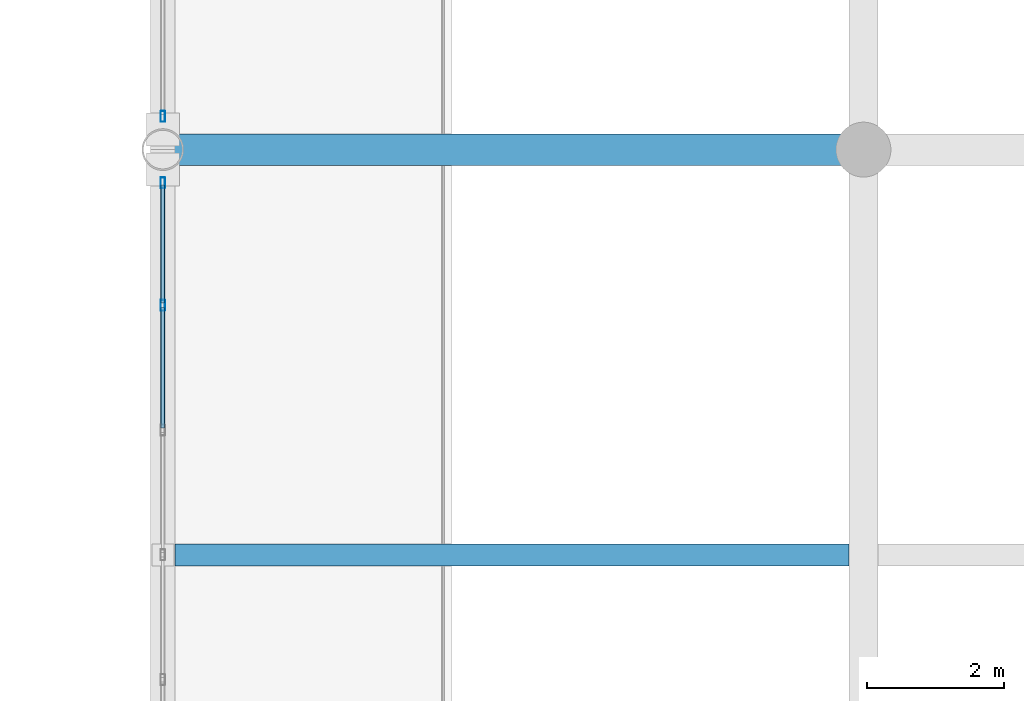
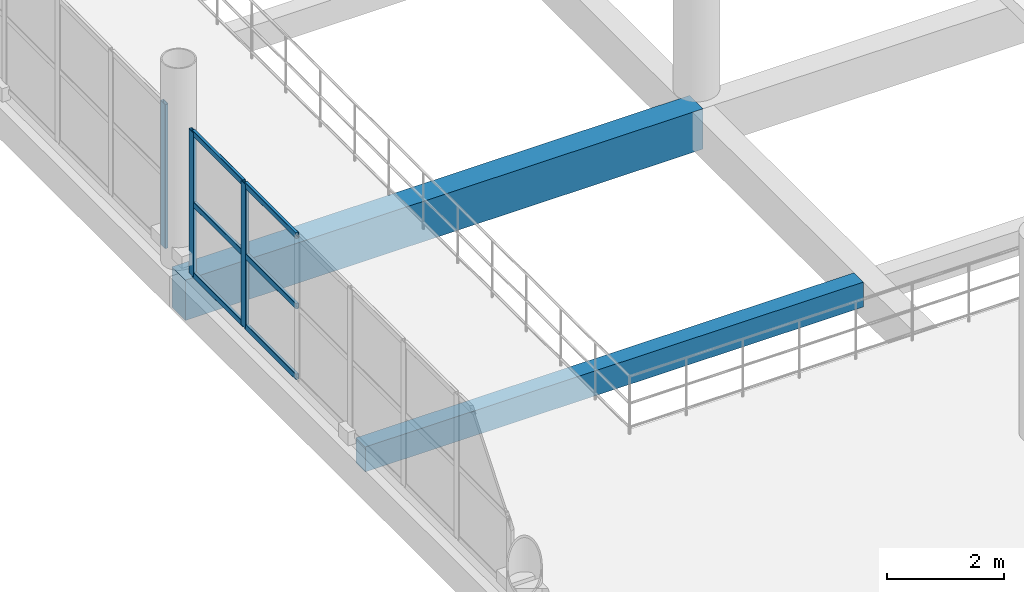
# One storey, part 58 of 157: 9 members, 2 beams, 2 elements without a shape of their own.
"""IFC4 building model written with IfcOpenShell, lengths in metres."""

from ifc_helpers import new_model, si_unit, direction, frame, origin, origin_2d, place, context, subcontext, project, spatial, rectangle, hollow_rectangle, extrude, material, material_profile, profile_set, type_object, element, aggregate, save


model = new_model("IFC4")

# Units and contexts
model_context = context("Model", 3, precision=1e-05, world=origin(), true_north=direction((0.0, 1.0)))
body_context = subcontext(model_context, "Body", "Model", "MODEL_VIEW")
ifc_project = project(units=[si_unit("LENGTHUNIT", "METRE"), si_unit("AREAUNIT", "SQUARE_METRE"), si_unit("VOLUMEUNIT", "CUBIC_METRE"), si_unit("PLANEANGLEUNIT", "RADIAN"), si_unit("MASSUNIT", "GRAM", prefix="KILO")], contexts=[model_context])

# Site, building, storey
site_placement = place(None, origin())
site = spatial("IfcSite", under=ifc_project, at=site_placement, CompositionType="ELEMENT")
building_placement = place(site_placement, origin())
building = spatial("IfcBuilding", under=site, at=building_placement, Name="Brelvane Convention Centre", CompositionType="ELEMENT")
storey_placement = place(building_placement, frame((0.0, 0.0, 10.800048828125)))
storey = spatial("IfcBuildingStorey", under=building, at=storey_placement, Name="L02", CompositionType="ELEMENT", Elevation=10.800048828125)

# Curtain wall, members
ifc_material_1 = material(Name="Anodised Aluminium Alloy 6063-T6", Category="aluminium")
curtain_wall_type = type_object("IfcCurtainWallType", Name="Curtain Wall CW-CONC", PredefinedType="USERDEFINED", material=ifc_material_1)
curtain_wall_1_placement = place(storey_placement, origin())
curtain_wall_1 = element("IfcCurtainWall", 1, at=curtain_wall_1_placement, inside=storey, type_object=curtain_wall_type, Name="Curtain Wall CW-CONC L02-GAL-ATRIUM-W-2", ObjectType="UNITISED", PredefinedType="USERDEFINED")
ifc_material_2 = material(Name="Anodised Aluminium Alloy 6063-T6", Category="aluminium")
ifc_material_profile_1 = material_profile(ifc_material_2, hollow_rectangle(XDim=0.06494140625, YDim=0.159912109375, WallThickness=0.00390625, InnerFilletRadius=0.00390625, OuterFilletRadius=0.008056640625, at=origin_2d()), Name="ALU-M 160x65x4.0")
ifc_profile_set_1 = profile_set([ifc_material_profile_1], Name="Anodised Aluminium Alloy 6063-T6")
member_type_1 = type_object("IfcMemberType", Name="Curtain Mullion CW-M3", PredefinedType="MULLION", material=ifc_profile_set_1)
member_1_placement = place(storey_placement, frame((142.800048828125, 61.933349609375, 0.0), z_axis=(0.0, 0.0, 1.0), x_axis=(-1.0, 0.0, 0.0)))
member_1 = element("IfcMember", 2, at=member_1_placement, type_object=member_type_1, Name="CW-CONC mullion 6", PredefinedType="MULLION", context=body_context, shape_type="SweptSolid", body=[
    extrude(hollow_rectangle(XDim=0.06494140625, YDim=0.159912109375, WallThickness=0.00390625, InnerFilletRadius=0.00390625, OuterFilletRadius=0.008056640625, at=origin_2d()), origin(), (0.0, 0.0, 1.0), 3.0),
])
member_2_placement = place(storey_placement, frame((142.800048828125, 63.717529296875, 0.0), z_axis=(0.0, 0.0, 1.0), x_axis=(-1.0, 0.0, 0.0)))
member_2 = element("IfcMember", 3, at=member_2_placement, type_object=member_type_1, Name="CW-CONC mullion 7", PredefinedType="MULLION", context=body_context, shape_type="SweptSolid", body=[
    extrude(hollow_rectangle(XDim=0.06494140625, YDim=0.159912109375, WallThickness=0.00390625, InnerFilletRadius=0.00390625, OuterFilletRadius=0.008056640625, at=origin_2d()), origin(), (0.0, 0.0, 1.0), 3.0),
])

# Curtain wall, member
curtain_wall_2_placement = place(storey_placement, origin())
curtain_wall_2 = element("IfcCurtainWall", 4, at=curtain_wall_2_placement, inside=storey, type_object=curtain_wall_type, Name="Curtain Wall CW-CONC L02-GAL-ATRIUM-W-3", ObjectType="UNITISED", PredefinedType="USERDEFINED")
member_3_placement = place(storey_placement, frame((142.800048828125, 64.6826171875, 0.0), z_axis=(0.0, 0.0, 1.0), x_axis=(-1.0, 0.0, 0.0)))
member_3 = element("IfcMember", 5, at=member_3_placement, type_object=member_type_1, Name="CW-CONC mullion 1", PredefinedType="MULLION", context=body_context, shape_type="SweptSolid", body=[
    extrude(hollow_rectangle(XDim=0.06494140625, YDim=0.159912109375, WallThickness=0.00390625, InnerFilletRadius=0.00390625, OuterFilletRadius=0.008056640625, at=origin_2d()), origin(), (0.0, 0.0, 1.0), 3.0),
])
aggregate(curtain_wall_2, [member_3])

# Member
ifc_material_3 = material(Name="Anodised Aluminium Alloy 6063-T6", Category="aluminium")
ifc_material_profile_2 = material_profile(ifc_material_3, hollow_rectangle(XDim=0.06005859375, YDim=0.1201171875, WallThickness=0.00390625, InnerFilletRadius=0.00390625, OuterFilletRadius=0.008056640625, at=origin_2d()), Name="ALU-T 120x60x4.0")
ifc_profile_set_2 = profile_set([ifc_material_profile_2], Name="Anodised Aluminium Alloy 6063-T6")
member_type_2 = type_object("IfcMemberType", Name="Curtain Transom CW-T3", PredefinedType="USERDEFINED", material=ifc_profile_set_2)
member_4_placement = place(storey_placement, frame((142.800048828125, 60.149169921875, 0.030029296875), z_axis=(0.0, 1.0, 0.0), x_axis=(-1.0, 0.0, 0.0)))
member_4 = element("IfcMember", 6, at=member_4_placement, type_object=member_type_2, Name="CW-CONC transom 5.1", ObjectType="TRANSOM", PredefinedType="USERDEFINED", context=body_context, shape_type="SweptSolid", body=[
    extrude(hollow_rectangle(XDim=0.06005859375, YDim=0.1201171875, WallThickness=0.00390625, InnerFilletRadius=0.00390625, OuterFilletRadius=0.008056640625, at=origin_2d()), origin(), (0.0, 0.0, 1.0), 1.751708984375),
])

member_5_placement = place(storey_placement, frame((142.800048828125, 60.149169921875, 1.5), z_axis=(0.0, 1.0, 0.0), x_axis=(-1.0, 0.0, 0.0)))
member_5 = element("IfcMember", 7, at=member_5_placement, type_object=member_type_2, Name="CW-CONC transom 5.2", ObjectType="TRANSOM", PredefinedType="USERDEFINED", context=body_context, shape_type="SweptSolid", body=[
    extrude(hollow_rectangle(XDim=0.06005859375, YDim=0.1201171875, WallThickness=0.00390625, InnerFilletRadius=0.00390625, OuterFilletRadius=0.008056640625, at=origin_2d()), origin(), (0.0, 0.0, 1.0), 1.751708984375),
])

member_6_placement = place(storey_placement, frame((142.800048828125, 60.149169921875, 2.969970703125), z_axis=(0.0, 1.0, 0.0), x_axis=(-1.0, 0.0, 0.0)))
member_6 = element("IfcMember", 8, at=member_6_placement, type_object=member_type_2, Name="CW-CONC transom 5.3", ObjectType="TRANSOM", PredefinedType="USERDEFINED", context=body_context, shape_type="SweptSolid", body=[
    extrude(hollow_rectangle(XDim=0.06005859375, YDim=0.1201171875, WallThickness=0.00390625, InnerFilletRadius=0.00390625, OuterFilletRadius=0.008056640625, at=origin_2d()), origin(), (0.0, 0.0, 1.0), 1.751708984375),
])

member_7_placement = place(storey_placement, frame((142.800048828125, 61.9658203125, 0.030029296875), z_axis=(0.0, 1.0, 0.0), x_axis=(-1.0, 0.0, 0.0)))
member_7 = element("IfcMember", 9, at=member_7_placement, type_object=member_type_2, Name="CW-CONC transom 6.1", ObjectType="TRANSOM", PredefinedType="USERDEFINED", context=body_context, shape_type="SweptSolid", body=[
    extrude(hollow_rectangle(XDim=0.06005859375, YDim=0.1201171875, WallThickness=0.00390625, InnerFilletRadius=0.00390625, OuterFilletRadius=0.008056640625, at=origin_2d()), origin(), (0.0, 0.0, 1.0), 1.71923828125),
])

member_8_placement = place(storey_placement, frame((142.800048828125, 61.9658203125, 1.5), z_axis=(0.0, 1.0, 0.0), x_axis=(-1.0, 0.0, 0.0)))
member_8 = element("IfcMember", 10, at=member_8_placement, type_object=member_type_2, Name="CW-CONC transom 6.2", ObjectType="TRANSOM", PredefinedType="USERDEFINED", context=body_context, shape_type="SweptSolid", body=[
    extrude(hollow_rectangle(XDim=0.06005859375, YDim=0.1201171875, WallThickness=0.00390625, InnerFilletRadius=0.00390625, OuterFilletRadius=0.008056640625, at=origin_2d()), origin(), (0.0, 0.0, 1.0), 1.71923828125),
])

member_9_placement = place(storey_placement, frame((142.800048828125, 61.9658203125, 2.969970703125), z_axis=(0.0, 1.0, 0.0), x_axis=(-1.0, 0.0, 0.0)))
member_9 = element("IfcMember", 11, at=member_9_placement, type_object=member_type_2, Name="CW-CONC transom 6.3", ObjectType="TRANSOM", PredefinedType="USERDEFINED", context=body_context, shape_type="SweptSolid", body=[
    extrude(hollow_rectangle(XDim=0.06005859375, YDim=0.1201171875, WallThickness=0.00390625, InnerFilletRadius=0.00390625, OuterFilletRadius=0.008056640625, at=origin_2d()), origin(), (0.0, 0.0, 1.0), 1.71923828125),
])

aggregate(curtain_wall_1, [member_1, member_2, member_4, member_5, member_6, member_7, member_8, member_9])

# Beams
ifc_material_4 = material(Name="Concrete M40", Category="concrete")
ifc_material_profile_3 = material_profile(ifc_material_4, rectangle(XDim=0.4599609375, YDim=0.840087890625, at=origin_2d()), Name="RC 460x840")
ifc_profile_set_3 = profile_set([ifc_material_profile_3], Name="Concrete M40")
beam_type_1 = type_object("IfcBeamType", Name="RC Beam B-RC11 (RC 460x840)", PredefinedType="BEAM", material=ifc_profile_set_3)
beam_1_placement = place(storey_placement, frame((142.800048828125, 64.199951171875, -0.699951171875), z_axis=(1.0, 0.0, 0.0), x_axis=(0.0, 1.0, 0.0)))
element("IfcBeam", 12, at=beam_1_placement, inside=storey, type_object=beam_type_1, Name="L02 Beam 15-16/G", PredefinedType="BEAM", context=body_context, shape_type="SweptSolid", body=[
    extrude(rectangle(XDim=0.4599609375, YDim=0.840087890625, at=origin_2d()), origin(), (0.0, 0.0, 1.0), 10.199951171875),
])
ifc_material_5 = material(Name="Concrete M40", Category="concrete")
ifc_material_profile_4 = material_profile(ifc_material_5, rectangle(XDim=0.320068359375, YDim=0.52001953125, at=origin_2d()), Name="RC 320x520")
ifc_profile_set_4 = profile_set([ifc_material_profile_4], Name="Concrete M40")
beam_type_2 = type_object("IfcBeamType", Name="RC Joist J-RC4 (RC 320x520)", PredefinedType="JOIST", material=ifc_profile_set_4)
beam_2_placement = place(storey_placement, frame((142.97998046875, 58.300048828125, -0.5400390625), z_axis=(1.0, 0.0, 0.0), x_axis=(0.0, 1.0, 0.0)))
element("IfcBeam", 13, at=beam_2_placement, inside=storey, type_object=beam_type_2, Name="L02 Secondary Joist 15-16/FG", PredefinedType="JOIST", context=body_context, shape_type="SweptSolid", body=[
    extrude(rectangle(XDim=0.320068359375, YDim=0.52001953125, at=origin_2d()), origin(), (0.0, 0.0, 1.0), 9.81005859375),
])

save(model, "model.ifc")
